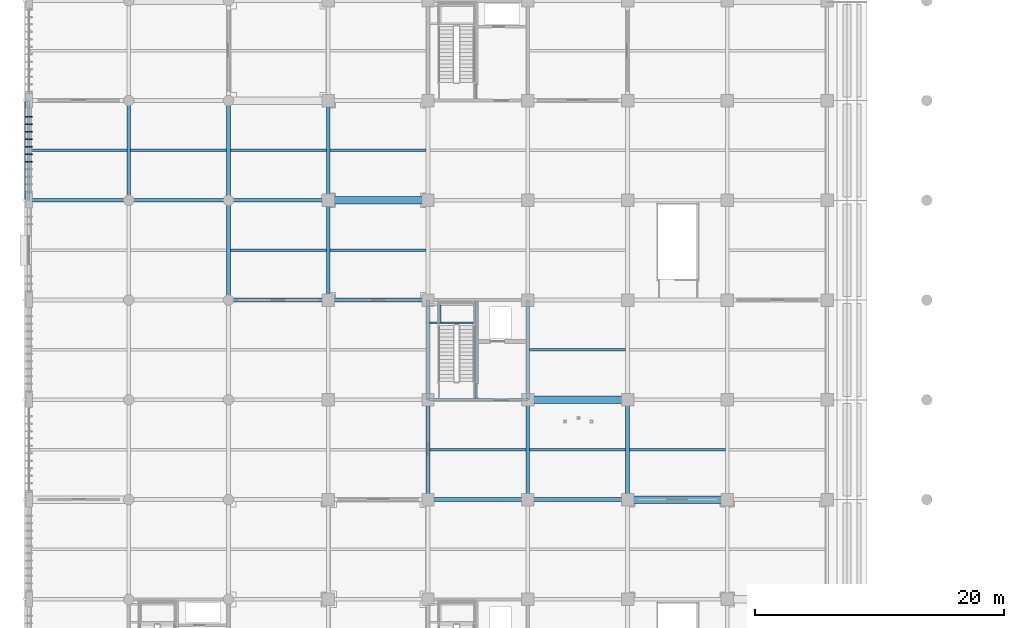
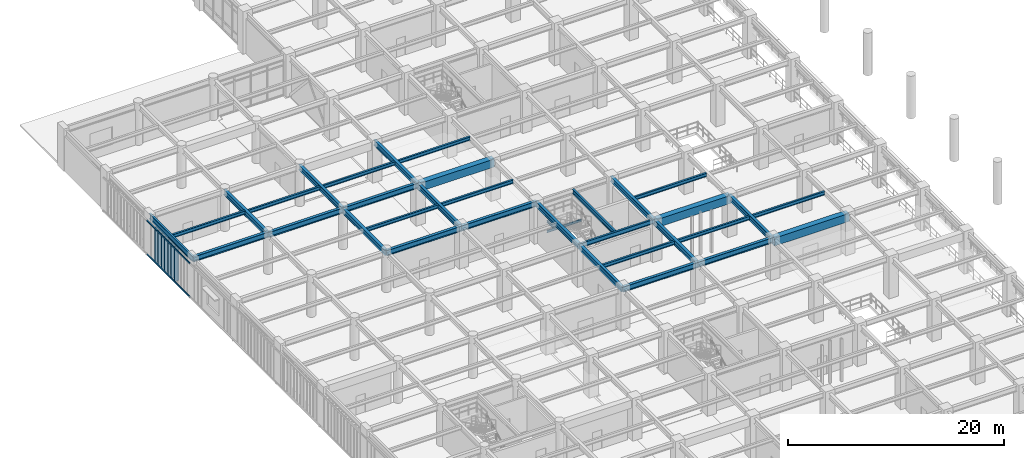
# One storey, part 23 of 117: 35 beams, 9 members.
"""IFC4 building model written with IfcOpenShell, lengths in metres."""

from ifc_helpers import new_model, si_unit, direction, frame, origin, origin_2d, place, context, subcontext, project, spatial, rectangle, hollow_rectangle, i_section, extrude, material, material_profile, profile_set, type_object, element, save


model = new_model("IFC4")

# Units and contexts
model_context = context("Model", 3, precision=1e-05, world=origin(), true_north=direction((0.0, 1.0)))
body_context = subcontext(model_context, "Body", "Model", "MODEL_VIEW")
ifc_project = project(units=[si_unit("LENGTHUNIT", "METRE"), si_unit("AREAUNIT", "SQUARE_METRE"), si_unit("VOLUMEUNIT", "CUBIC_METRE"), si_unit("PLANEANGLEUNIT", "RADIAN"), si_unit("MASSUNIT", "GRAM", prefix="KILO")], contexts=[model_context])

# Site, building, storey
site_placement = place(None, origin())
site = spatial("IfcSite", under=ifc_project, at=site_placement, CompositionType="ELEMENT")
building_placement = place(site_placement, origin())
building = spatial("IfcBuilding", under=site, at=building_placement, Name="Haebicheon Civic Stadium", CompositionType="ELEMENT")
storey_placement = place(building_placement, frame((0.0, 0.0, 4.800048828125)))
storey = spatial("IfcBuildingStorey", under=building, at=storey_placement, Name="L02", CompositionType="ELEMENT", Elevation=4.800048828125)

# Beams
ifc_material_1 = material(Name="Concrete C40/50", Category="concrete")
ifc_material_profile_1 = material_profile(ifc_material_1, rectangle(XDim=0.60009765625, YDim=0.89990234375, at=origin_2d()), Name="RC-BM-600x900")
ifc_profile_set_1 = profile_set([ifc_material_profile_1], Name="Concrete C40/50")
beam_type_1 = type_object("IfcBeamType", Name="BM-RC-600x900", PredefinedType="BEAM", material=ifc_profile_set_1)
for number, where, z_axis, x_axis, name in (
    (1, (24.0, 120.0, 4.070068359375), (1.0, 0.0, 0.0), (0.0, 1.0, 0.0), "L02 beam R/4-5"),
    (2, (40.0, 104.0, 4.070068359375), (1.0, 0.0, 0.0), (0.0, 1.0, 0.0), "L02 beam P/6-7"),
    (3, (48.0, 96.0, 4.070068359375), (1.0, 0.0, 0.0), (0.0, 1.0, 0.0), "L02 beam N/7-8"),
):
    element("IfcBeam", number, at=place(storey_placement, frame(where, z_axis=z_axis, x_axis=x_axis)), inside=storey, type_object=beam_type_1, material=ifc_profile_set_1, Name=name, PredefinedType="BEAM", context=body_context, shape_type="SweptSolid", body=[
        extrude(rectangle(XDim=0.60009765625, YDim=0.89990234375, at=origin_2d()), origin(), (0.0, 0.0, 1.0), 8.0),
    ])
ifc_material_2 = material(Name="Steel SM355 (S355)", Category="steel")
ifc_material_profile_2 = material_profile(ifc_material_2, i_section(OverallWidth=0.199951171875, OverallDepth=0.5, WebThickness=0.010009765625, FlangeThickness=0.01611328125, at=origin_2d()), Name="H-500x200x10x16")
ifc_profile_set_2 = profile_set([ifc_material_profile_2], Name="Steel SM355 (S355)")
beam_type_2 = type_object("IfcBeamType", Name="BM-ST-H500", PredefinedType="BEAM", material=ifc_profile_set_2)
beam_1_placement = place(storey_placement, frame((32.0, 104.0, 4.27001953125), z_axis=(1.0, 0.0, 0.0), x_axis=(0.0, 1.0, 0.0)))
element("IfcBeam", 4, at=beam_1_placement, inside=storey, type_object=beam_type_2, material=ifc_profile_set_2, Name="L02 beam P/5-6", PredefinedType="BEAM", context=body_context, shape_type="SweptSolid", body=[
    extrude(i_section(OverallWidth=0.199951171875, OverallDepth=0.5, WebThickness=0.010009765625, FlangeThickness=0.01611328125, at=origin_2d()), origin(), (0.0, 0.0, 1.0), 8.0),
])
beam_2_placement = place(storey_placement, frame((35.8798828125, 104.10009765625, 4.27001953125), z_axis=(0.0, 1.0, 0.0), x_axis=(-1.0, 0.0, 0.0)))
element("IfcBeam", 5, at=beam_2_placement, inside=storey, type_object=beam_type_2, material=ifc_profile_set_2, Name="L02 KC-04 core dividing wall support beam", PredefinedType="BEAM", context=body_context, shape_type="SweptSolid", body=[
    extrude(i_section(OverallWidth=0.199951171875, OverallDepth=0.5, WebThickness=0.010009765625, FlangeThickness=0.01611328125, at=origin_2d()), origin(), (0.0, 0.0, 1.0), 7.7998046875),
])
ifc_material_3 = material(Name="Steel SM355 (S355)", Category="steel")
ifc_material_profile_3 = material_profile(ifc_material_3, i_section(OverallWidth=0.300048828125, OverallDepth=0.60009765625, WebThickness=0.011962890625, FlangeThickness=0.02001953125, at=origin_2d()), Name="H-600x300x12x20")
ifc_profile_set_3 = profile_set([ifc_material_profile_3], Name="Steel SM355 (S355)")
beam_type_3 = type_object("IfcBeamType", Name="BM-ST-H600A", PredefinedType="BEAM", material=ifc_profile_set_3)
for number, where, z_axis, x_axis, name in (
    (6, (8.0, 120.0, 4.219970703125), (0.0, 1.0, 0.0), (-1.0, 0.0, 0.0), "L02 girder 2/R-S"),
    (7, (16.0, 112.0, 4.219970703125), (0.0, 1.0, 0.0), (-1.0, 0.0, 0.0), "L02 girder 3/Q-R"),
    (8, (16.0, 120.0, 4.219970703125), (0.0, 1.0, 0.0), (-1.0, 0.0, 0.0), "L02 girder 3/R-S"),
    (9, (24.0, 112.0, 4.219970703125), (0.0, 1.0, 0.0), (-1.0, 0.0, 0.0), "L02 girder 4/Q-R"),
    (10, (24.0, 120.0, 4.219970703125), (0.0, 1.0, 0.0), (-1.0, 0.0, 0.0), "L02 girder 4/R-S"),
    (11, (32.0, 96.0, 4.219970703125), (0.0, 1.0, 0.0), (-1.0, 0.0, 0.0), "L02 girder 5/N-P"),
    (12, (32.0, 104.0, 4.219970703125), (0.0, 1.0, 0.0), (-1.0, 0.0, 0.0), "L02 girder 5/P-Q"),
    (13, (40.0, 96.0, 4.219970703125), (0.0, 1.0, 0.0), (-1.0, 0.0, 0.0), "L02 girder 6/N-P"),
    (14, (40.0, 104.0, 4.219970703125), (0.0, 1.0, 0.0), (-1.0, 0.0, 0.0), "L02 girder 6/P-Q"),
    (15, (48.0, 96.0, 4.219970703125), (0.0, 1.0, 0.0), (-1.0, 0.0, 0.0), "L02 girder 7/N-P"),
    (16, (0.0, 120.0, 4.280029296875), (1.0, 0.0, 0.0), (0.0, 1.0, 0.0), "L02 beam R/1-2"),
    (17, (8.0, 120.0, 4.219970703125), (1.0, 0.0, 0.0), (0.0, 1.0, 0.0), "L02 beam R/2-3"),
    (18, (16.0, 112.0, 4.219970703125), (1.0, 0.0, 0.0), (0.0, 1.0, 0.0), "L02 beam Q/3-4"),
    (19, (16.0, 120.0, 4.219970703125), (1.0, 0.0, 0.0), (0.0, 1.0, 0.0), "L02 beam R/3-4"),
    (20, (24.0, 112.0, 4.219970703125), (1.0, 0.0, 0.0), (0.0, 1.0, 0.0), "L02 beam Q/4-5"),
    (21, (32.0, 96.0, 4.219970703125), (1.0, 0.0, 0.0), (0.0, 1.0, 0.0), "L02 beam N/5-6"),
    (22, (40.0, 96.0, 4.219970703125), (1.0, 0.0, 0.0), (0.0, 1.0, 0.0), "L02 beam N/6-7"),
):
    element("IfcBeam", number, at=place(storey_placement, frame(where, z_axis=z_axis, x_axis=x_axis)), inside=storey, type_object=beam_type_3, material=ifc_profile_set_3, Name=name, PredefinedType="BEAM", context=body_context, shape_type="SweptSolid", body=[
        extrude(i_section(OverallWidth=0.300048828125, OverallDepth=0.60009765625, WebThickness=0.011962890625, FlangeThickness=0.02001953125, at=origin_2d()), origin(), (0.0, 0.0, 1.0), 8.0),
    ])
ifc_material_4 = material(Name="Steel SM355 (S355)", Category="steel")
ifc_material_profile_4 = material_profile(ifc_material_4, i_section(OverallWidth=0.125, OverallDepth=0.25, WebThickness=0.006103515625, FlangeThickness=0.009033203125, at=origin_2d()), Name="H-250x125x6x9")
ifc_profile_set_4 = profile_set([ifc_material_profile_4], Name="Steel SM355 (S355)")
beam_type_4 = type_object("IfcBeamType", Name="JST-ST-H250", PredefinedType="JOIST", material=ifc_profile_set_4)
beam_3_placement = place(storey_placement, frame((32.080078125, 110.169921875, 2.072021484375), z_axis=(1.0, 0.0, 0.0), x_axis=(0.0, 1.0, 0.0)))
element("IfcBeam", 23, at=beam_3_placement, inside=storey, type_object=beam_type_4, material=ifc_profile_set_4, Name="KC-04 L02 stair half-landing front trimmer beam", PredefinedType="JOIST", context=body_context, shape_type="SweptSolid", body=[
    extrude(i_section(OverallWidth=0.125, OverallDepth=0.25, WebThickness=0.006103515625, FlangeThickness=0.009033203125, at=origin_2d()), origin(), (0.0, 0.0, 1.0), 3.719970703125),
])
beam_4_placement = place(storey_placement, frame((32.9599609375, 110.169921875, 2.072021484375), z_axis=(0.0, 1.0, 0.0), x_axis=(-1.0, 0.0, 0.0)))
element("IfcBeam", 24, at=beam_4_placement, inside=storey, type_object=beam_type_4, material=ifc_profile_set_4, Name="KC-04 L02 stair half-landing transverse tie beam", PredefinedType="JOIST", context=body_context, shape_type="SweptSolid", body=[
    extrude(i_section(OverallWidth=0.125, OverallDepth=0.25, WebThickness=0.006103515625, FlangeThickness=0.009033203125, at=origin_2d()), origin(), (0.0, 0.0, 1.0), 1.4501953125),
])
ifc_material_5 = material(Name="Steel SM355 (S355)", Category="steel")
ifc_material_profile_5 = material_profile(ifc_material_5, i_section(OverallWidth=0.199951171875, OverallDepth=0.39990234375, WebThickness=0.008056640625, FlangeThickness=0.012939453125, at=origin_2d()), Name="H-400x200x8x13")
ifc_profile_set_5 = profile_set([ifc_material_profile_5], Name="Steel SM355 (S355)")
beam_type_5 = type_object("IfcBeamType", Name="JST-ST-H400", PredefinedType="JOIST", material=ifc_profile_set_5)
beam_5_placement = place(storey_placement, frame((0.10009765625, 124.0, 4.3798828125), z_axis=(1.0, 0.0, 0.0), x_axis=(0.0, 1.0, 0.0)))
element("IfcBeam", 25, at=beam_5_placement, inside=storey, type_object=beam_type_5, material=ifc_profile_set_5, Name="L02 secondary joist 00-15", PredefinedType="JOIST", context=body_context, shape_type="SweptSolid", body=[
    extrude(i_section(OverallWidth=0.199951171875, OverallDepth=0.39990234375, WebThickness=0.008056640625, FlangeThickness=0.012939453125, at=origin_2d()), origin(), (0.0, 0.0, 1.0), 7.75),
])
for number, where, z_axis, x_axis, name in (
    (26, (8.14990234375, 124.0, 4.320068359375), (1.0, 0.0, 0.0), (0.0, 1.0, 0.0), "L02 secondary joist 01-15"),
    (27, (16.14990234375, 116.0, 4.320068359375), (1.0, 0.0, 0.0), (0.0, 1.0, 0.0), "L02 secondary joist 02-14"),
    (28, (16.14990234375, 124.0, 4.320068359375), (1.0, 0.0, 0.0), (0.0, 1.0, 0.0), "L02 secondary joist 02-15"),
    (29, (24.14990234375, 116.0, 4.320068359375), (1.0, 0.0, 0.0), (0.0, 1.0, 0.0), "L02 secondary joist 03-14"),
    (30, (24.14990234375, 124.0, 4.320068359375), (1.0, 0.0, 0.0), (0.0, 1.0, 0.0), "L02 secondary joist 03-15"),
    (31, (32.14990234375, 100.0, 4.320068359375), (1.0, 0.0, 0.0), (0.0, 1.0, 0.0), "L02 secondary joist 04-12"),
    (32, (40.14990234375, 100.0, 4.320068359375), (1.0, 0.0, 0.0), (0.0, 1.0, 0.0), "L02 secondary joist 05-12"),
    (33, (40.14990234375, 108.0, 4.320068359375), (1.0, 0.0, 0.0), (0.0, 1.0, 0.0), "L02 secondary joist 05-13"),
    (34, (48.14990234375, 100.0, 4.320068359375), (1.0, 0.0, 0.0), (0.0, 1.0, 0.0), "L02 secondary joist 06-12"),
):
    element("IfcBeam", number, at=place(storey_placement, frame(where, z_axis=z_axis, x_axis=x_axis)), inside=storey, type_object=beam_type_5, material=ifc_profile_set_5, Name=name, PredefinedType="JOIST", context=body_context, shape_type="SweptSolid", body=[
        extrude(i_section(OverallWidth=0.199951171875, OverallDepth=0.39990234375, WebThickness=0.008056640625, FlangeThickness=0.012939453125, at=origin_2d()), origin(), (0.0, 0.0, 1.0), 7.7001953125),
    ])

# Members
ifc_material_6 = material(Name="Acetylated timber GL28h", Category="wood")
ifc_material_profile_6 = material_profile(ifc_material_6, rectangle(XDim=0.080078125, YDim=0.52001953125, at=origin_2d()), Name="TMB-LOUV-80x520")
ifc_profile_set_6 = profile_set([ifc_material_profile_6], Name="Acetylated timber GL28h")
member_type_1 = type_object("IfcMemberType", Name="LVR-TIM-520x80", PredefinedType="PLATE", material=ifc_profile_set_6)
for number, where, z_axis, x_axis, name in (
    (35, (0.02001953125, 123.10009765625, -0.1201171875), (0.0, 0.0, 1.0), (0.0, 1.0, 0.0), "SCR-BOUL L02 acetylated timber storm louvre fin 10.5"),
    (36, (0.02001953125, 123.699951171875, -0.1201171875), (0.0, 0.0, 1.0), (0.0, 1.0, 0.0), "SCR-BOUL L02 acetylated timber storm louvre fin 10.6"),
    (37, (0.02001953125, 124.300048828125, -0.1201171875), (0.0, 0.0, 1.0), (0.0, 1.0, 0.0), "SCR-BOUL L02 acetylated timber storm louvre fin 10.7"),
    (38, (0.02001953125, 124.89990234375, -0.1201171875), (0.0, 0.0, 1.0), (0.0, 1.0, 0.0), "SCR-BOUL L02 acetylated timber storm louvre fin 10.8"),
    (39, (0.02001953125, 125.5, -0.1201171875), (0.0, 0.0, 1.0), (0.0, 1.0, 0.0), "SCR-BOUL L02 acetylated timber storm louvre fin 10.9"),
    (40, (0.02001953125, 126.10009765625, -0.1201171875), (0.0, 0.0, 1.0), (0.0, 1.0, 0.0), "SCR-BOUL L02 acetylated timber storm louvre fin 10.10"),
    (41, (0.02001953125, 126.699951171875, -0.1201171875), (0.0, 0.0, 1.0), (0.0, 1.0, 0.0), "SCR-BOUL L02 acetylated timber storm louvre fin 10.11"),
):
    element("IfcMember", number, at=place(storey_placement, frame(where, z_axis=z_axis, x_axis=x_axis)), inside=storey, type_object=member_type_1, material=ifc_profile_set_6, Name=name, PredefinedType="PLATE", context=body_context, shape_type="SweptSolid", body=[
        extrude(rectangle(XDim=0.080078125, YDim=0.52001953125, at=origin_2d()), origin(), (0.0, 0.0, 1.0), 3.969970703125),
    ])

# Beam
ifc_material_7 = material(Name="Steel SM355 (S355)", Category="steel")
ifc_material_profile_7 = material_profile(ifc_material_7, i_section(OverallWidth=0.199951171875, OverallDepth=0.60009765625, WebThickness=0.010986328125, FlangeThickness=0.01708984375, at=origin_2d()), Name="H-600x200x11x17")
ifc_profile_set_7 = profile_set([ifc_material_profile_7], Name="Steel SM355 (S355)")
beam_type_6 = type_object("IfcBeamType", Name="SPD-ST-H600B", PredefinedType="SPANDREL", material=ifc_profile_set_7)
beam_6_placement = place(storey_placement, frame((0.0, 120.0, 4.280029296875), z_axis=(0.0, 1.0, 0.0), x_axis=(-1.0, 0.0, 0.0)))
element("IfcBeam", 42, at=beam_6_placement, inside=storey, type_object=beam_type_6, material=ifc_profile_set_7, Name="L02 girder 1/R-S", PredefinedType="SPANDREL", context=body_context, shape_type="SweptSolid", body=[
    extrude(i_section(OverallWidth=0.199951171875, OverallDepth=0.60009765625, WebThickness=0.010986328125, FlangeThickness=0.01708984375, at=origin_2d()), origin(), (0.0, 0.0, 1.0), 8.0),
])

# Members
ifc_material_8 = material(Name="Steel SM355 (S355)", Category="steel")
ifc_material_profile_8 = material_profile(ifc_material_8, hollow_rectangle(XDim=0.10009765625, YDim=0.14990234375, WallThickness=0.006103515625, at=origin_2d()), Name="RHS-150x100x6.0")
ifc_profile_set_8 = profile_set([ifc_material_profile_8], Name="Steel SM355 (S355)")
member_type_2 = type_object("IfcMemberType", Name="SUB-RHS150", PredefinedType="STRINGER", material=ifc_profile_set_8)
for number, where, z_axis, x_axis, name in (
    (43, (-0.31494140625, 120.0, 0.06005859375), (0.0, 1.0, 0.0), (-1.0, 0.0, 0.0), "SCR-BOUL L02 storm-louvre bottom carrier rail 10"),
    (44, (-0.31494140625, 120.0, 3.849853515625), (0.0, 1.0, 0.0), (-1.0, 0.0, 0.0), "SCR-BOUL L02 storm-louvre top carrier rail 10"),
):
    element("IfcMember", number, at=place(storey_placement, frame(where, z_axis=z_axis, x_axis=x_axis)), inside=storey, type_object=member_type_2, material=ifc_profile_set_8, Name=name, PredefinedType="STRINGER", context=body_context, shape_type="SweptSolid", body=[
        extrude(hollow_rectangle(XDim=0.10009765625, YDim=0.14990234375, WallThickness=0.006103515625, at=origin_2d()), origin(), (0.0, 0.0, 1.0), 8.0),
    ])

save(model, "model.ifc")
